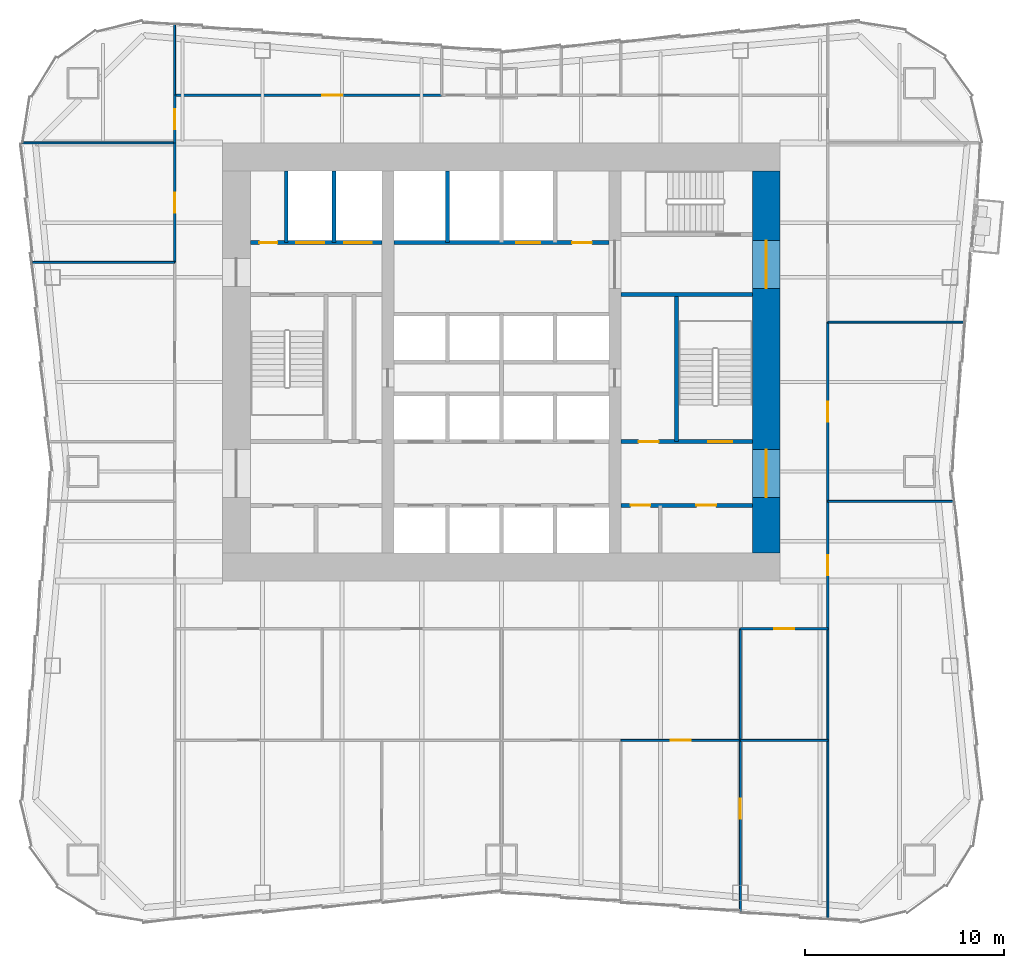
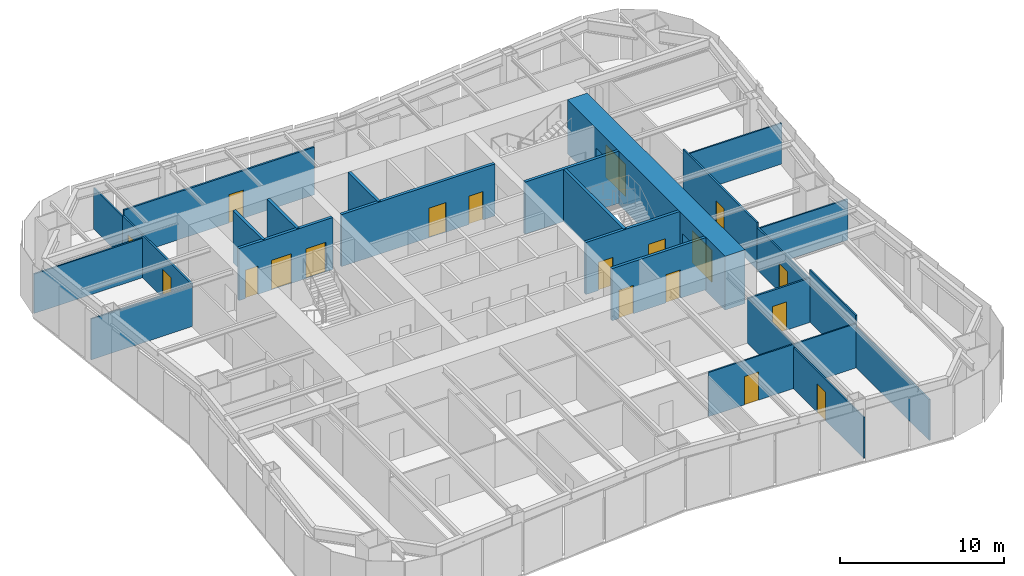
# One storey, part 5 of 8: 27 walls, 19 doors, 19 openings.
"""IFC4 building model written with IfcOpenShell, lengths in metres."""

from ifc_helpers import new_model, si_unit, direction, frame, frame_2d, origin, place, context, subcontext, project, spatial, rectangle, extrude, material, layer, layer_set, type_object, element, fill, save


model = new_model("IFC4")

# Units and contexts
model_context = context("Model", 3, precision=1e-05, world=origin(), true_north=direction((0.0, 1.0)))
body_context = subcontext(model_context, "Body", "Model", "MODEL_VIEW")
ifc_project = project(units=[si_unit("LENGTHUNIT", "METRE"), si_unit("AREAUNIT", "SQUARE_METRE"), si_unit("VOLUMEUNIT", "CUBIC_METRE"), si_unit("PLANEANGLEUNIT", "RADIAN"), si_unit("MASSUNIT", "GRAM", prefix="KILO")], contexts=[model_context])

# Site, building, storey
site_placement = place(None, origin())
site = spatial("IfcSite", under=ifc_project, at=site_placement, CompositionType="ELEMENT")
building_placement = place(site_placement, origin())
building = spatial("IfcBuilding", under=site, at=building_placement, Name="Verdant Reach Tower", CompositionType="ELEMENT")
storey_placement = place(building_placement, frame((0.0, 0.0, 18.0)))
storey = spatial("IfcBuildingStorey", under=building, at=storey_placement, Name="L03", CompositionType="ELEMENT", Elevation=18.0)

# Wall, openings, doors
ifc_material_1 = material(Name="Gypsum board on steel studs", Category="steel")
ifc_layer_1 = layer(ifc_material_1, 0.199951171875)
ifc_layer_set_1 = layer_set([ifc_layer_1], Name="CO-WALL-ROOM")
wall_type_1 = type_object("IfcWallType", Name="CO-WALL-ROOM", PredefinedType="PARTITIONING", material=ifc_layer_set_1)
wall_1_placement = place(storey_placement, frame((6.0, 20.800048828125, 0.0), z_axis=(0.0, 0.0, 1.0), x_axis=(1.0, 0.0, 0.0)))
wall_1 = element("IfcWall", 1, at=wall_1_placement, inside=storey, type_object=wall_type_1, Name="Core partition, L03", PredefinedType="PARTITIONING", context=body_context, shape_type="SweptSolid", body=[
    extrude(rectangle(XDim=6.60009765625, YDim=0.199951171875, at=frame_2d((3.300048828125, 0.0))), origin(), (0.0, 0.0, 1.0), 3.8701171875),
])
opening_1_placement = place(wall_1_placement, frame((0.489990234375, 0.0, 0.0)))
opening_1 = element("IfcOpeningElement", 2, at=opening_1_placement, cuts=wall_1, Name="Opening CD", PredefinedType="OPENING", context=body_context, shape_type="SweptSolid", body=[
    extrude(rectangle(XDim=1.0, YDim=2.10009765625, at=frame_2d((0.5, 1.050048828125))), frame((0.0, 0.10986328125, 0.0), z_axis=(0.0, -1.0, 0.0), x_axis=(1.0, 0.0, 0.0)), (0.0, 0.0, 1.0), 0.219970703125),
])
opening_2_placement = place(wall_1_placement, frame((3.7900390625, 0.0, 0.0)))
opening_2 = element("IfcOpeningElement", 3, at=opening_2_placement, cuts=wall_1, Name="Opening CD", PredefinedType="OPENING", context=body_context, shape_type="SweptSolid", body=[
    extrude(rectangle(XDim=1.0, YDim=2.10009765625, at=frame_2d((0.5, 1.050048828125))), frame((0.0, 0.10986328125, 0.0), z_axis=(0.0, -1.0, 0.0), x_axis=(1.0, 0.0, 0.0)), (0.0, 0.0, 1.0), 0.219970703125),
])
ifc_material_2 = material(Name="Timber", Category="wood")
door_type_1 = type_object("IfcDoorType", Name="CO-DOOR-ROOM", OperationType="NOTDEFINED", PredefinedType="DOOR", material=ifc_material_2)
door_1_placement = place(opening_1_placement, origin())
door_1 = element("IfcDoor", 4, at=door_1_placement, inside=storey, type_object=door_type_1, Name="Core room door, L03", OperationType="SINGLE_SWING_RIGHT", OverallHeight=2.10009765625, OverallWidth=1.0, PredefinedType="DOOR", context=body_context, shape_type="SweptSolid", body=[
    extrude(rectangle(XDim=1.0, YDim=2.10009765625, at=frame_2d((0.5, 1.050048828125))), frame((0.0, 0.02490234375, 0.0), z_axis=(0.0, -1.0, 0.0), x_axis=(1.0, 0.0, 0.0)), (0.0, 0.0, 1.0), 0.050048828125),
])
fill(opening_1, door_1)
door_2_placement = place(opening_2_placement, origin())
door_2 = element("IfcDoor", 5, at=door_2_placement, inside=storey, type_object=door_type_1, Name="Core room door, L03", OperationType="SINGLE_SWING_RIGHT", OverallHeight=2.10009765625, OverallWidth=1.0, PredefinedType="DOOR", context=body_context, shape_type="SweptSolid", body=[
    extrude(rectangle(XDim=1.0, YDim=2.10009765625, at=frame_2d((0.5, 1.050048828125))), frame((0.0, 0.02490234375, 0.0), z_axis=(0.0, -1.0, 0.0), x_axis=(1.0, 0.0, 0.0)), (0.0, 0.0, 1.0), 0.050048828125),
])
fill(opening_2, door_2)

ifc_material_3 = material(Name="Concrete C40/50", Category="concrete")
ifc_layer_2 = layer(ifc_material_3, 0.199951171875)
ifc_layer_set_2 = layer_set([ifc_layer_2], Name="CO-WALL-SHAFT")
wall_type_2 = type_object("IfcWallType", Name="CO-WALL-SHAFT", PredefinedType="PARTITIONING", material=ifc_layer_set_2)
wall_2_placement = place(storey_placement, frame((-12.60009765625, 34.0, 0.0), z_axis=(0.0, 0.0, 1.0), x_axis=(1.0, 0.0, 0.0)))
wall_2 = element("IfcWall", 6, at=wall_2_placement, inside=storey, type_object=wall_type_2, Name="Lift shaft wall, L03", PredefinedType="PARTITIONING", context=body_context, shape_type="SweptSolid", body=[
    extrude(rectangle(XDim=6.60009765625, YDim=0.199951171875, at=frame_2d((3.300048828125, 0.0))), origin(), (0.0, 0.0, 1.0), 3.8701171875),
])
opening_3_placement = place(wall_2_placement, frame((4.699951171875, 0.0, 0.0)))
opening_3 = element("IfcOpeningElement", 7, at=opening_3_placement, cuts=wall_2, Name="Opening LD-F1", PredefinedType="OPENING", context=body_context, shape_type="SweptSolid", body=[
    extrude(rectangle(XDim=1.39990234375, YDim=2.199951171875, at=frame_2d((0.699951171875, 1.10009765625))), frame((0.0, 0.10986328125, 0.0), z_axis=(0.0, -1.0, 0.0), x_axis=(1.0, 0.0, 0.0)), (0.0, 0.0, 1.0), 0.219970703125),
])
opening_4_placement = place(wall_2_placement, frame((2.300048828125, 0.0, 0.0)))
opening_4 = element("IfcOpeningElement", 8, at=opening_4_placement, cuts=wall_2, Name="Opening LD-F2", PredefinedType="OPENING", context=body_context, shape_type="SweptSolid", body=[
    extrude(rectangle(XDim=1.39990234375, YDim=2.199951171875, at=frame_2d((0.699951171875, 1.10009765625))), frame((0.0, 0.10986328125, 0.0), z_axis=(0.0, -1.0, 0.0), x_axis=(1.0, 0.0, 0.0)), (0.0, 0.0, 1.0), 0.219970703125),
])
opening_5_placement = place(wall_2_placement, frame((0.449951171875, 0.0, 0.0)))
opening_5 = element("IfcOpeningElement", 9, at=opening_5_placement, cuts=wall_2, Name="Opening RD", PredefinedType="OPENING", context=body_context, shape_type="SweptSolid", body=[
    extrude(rectangle(XDim=0.89990234375, YDim=2.10009765625, at=frame_2d((0.449951171875, 1.050048828125))), frame((0.0, 0.10986328125, 0.0), z_axis=(0.0, -1.0, 0.0), x_axis=(1.0, 0.0, 0.0)), (0.0, 0.0, 1.0), 0.219970703125),
])
ifc_material_4 = material(Name="Stainless steel", Category="steel")
door_type_2 = type_object("IfcDoorType", Name="CO-DOOR-LANDING-FF", OperationType="SLIDING_TO_LEFT", PredefinedType="DOOR", material=ifc_material_4)
door_3_placement = place(opening_3_placement, origin())
door_3 = element("IfcDoor", 10, at=door_3_placement, inside=storey, type_object=door_type_2, Name="Landing door F1, L03", OperationType="SLIDING_TO_LEFT", OverallHeight=2.199951171875, OverallWidth=1.39990234375, PredefinedType="DOOR", context=body_context, shape_type="SweptSolid", body=[
    extrude(rectangle(XDim=1.39990234375, YDim=2.199951171875, at=frame_2d((0.699951171875, 1.10009765625))), frame((0.0, 0.02490234375, 0.0), z_axis=(0.0, -1.0, 0.0), x_axis=(1.0, 0.0, 0.0)), (0.0, 0.0, 1.0), 0.050048828125),
])
fill(opening_3, door_3)
door_4_placement = place(opening_4_placement, origin())
door_4 = element("IfcDoor", 11, at=door_4_placement, inside=storey, type_object=door_type_2, Name="Landing door F2, L03", OperationType="SLIDING_TO_LEFT", OverallHeight=2.199951171875, OverallWidth=1.39990234375, PredefinedType="DOOR", context=body_context, shape_type="SweptSolid", body=[
    extrude(rectangle(XDim=1.39990234375, YDim=2.199951171875, at=frame_2d((0.699951171875, 1.10009765625))), frame((0.0, 0.02490234375, 0.0), z_axis=(0.0, -1.0, 0.0), x_axis=(1.0, 0.0, 0.0)), (0.0, 0.0, 1.0), 0.050048828125),
])
fill(opening_4, door_4)
ifc_material_5 = material(Name="Steel", Category="steel")
door_type_3 = type_object("IfcDoorType", Name="CO-DOOR-RISER", OperationType="NOTDEFINED", PredefinedType="DOOR", material=ifc_material_5)
door_5_placement = place(opening_5_placement, origin())
door_5 = element("IfcDoor", 12, at=door_5_placement, inside=storey, type_object=door_type_3, Name="Core room door, L03", OperationType="SINGLE_SWING_RIGHT", OverallHeight=2.10009765625, OverallWidth=0.89990234375, PredefinedType="DOOR", context=body_context, shape_type="SweptSolid", body=[
    extrude(rectangle(XDim=0.89990234375, YDim=2.10009765625, at=frame_2d((0.449951171875, 1.050048828125))), frame((0.0, 0.02490234375, 0.0), z_axis=(0.0, -1.0, 0.0), x_axis=(1.0, 0.0, 0.0)), (0.0, 0.0, 1.0), 0.050048828125),
])
fill(opening_5, door_5)

wall_3_placement = place(storey_placement, frame((-5.39990234375, 34.0, 0.0), z_axis=(0.0, 0.0, 1.0), x_axis=(1.0, 0.0, 0.0)))
wall_3 = element("IfcWall", 13, at=wall_3_placement, inside=storey, type_object=wall_type_2, Name="Lift shaft wall, L03", PredefinedType="PARTITIONING", context=body_context, shape_type="SweptSolid", body=[
    extrude(rectangle(XDim=10.7998046875, YDim=0.199951171875, at=frame_2d((5.39990234375, 0.0))), origin(), (0.0, 0.0, 1.0), 3.8701171875),
])
opening_6_placement = place(wall_3_placement, frame((6.14990234375, 0.0, 0.0)))
opening_6 = element("IfcOpeningElement", 14, at=opening_6_placement, cuts=wall_3, Name="Opening LD-SL1", PredefinedType="OPENING", context=body_context, shape_type="SweptSolid", body=[
    extrude(rectangle(XDim=1.199951171875, YDim=2.199951171875, at=frame_2d((0.60009765625, 1.10009765625))), frame((0.0, 0.10986328125, 0.0), z_axis=(0.0, -1.0, 0.0), x_axis=(1.0, 0.0, 0.0)), (0.0, 0.0, 1.0), 0.219970703125),
])
opening_7_placement = place(wall_3_placement, frame((8.949951171875, 0.0, 0.0)))
opening_7 = element("IfcOpeningElement", 15, at=opening_7_placement, cuts=wall_3, Name="Opening CD", PredefinedType="OPENING", context=body_context, shape_type="SweptSolid", body=[
    extrude(rectangle(XDim=1.0, YDim=2.10009765625, at=frame_2d((0.5, 1.050048828125))), frame((0.0, 0.10986328125, 0.0), z_axis=(0.0, -1.0, 0.0), x_axis=(1.0, 0.0, 0.0)), (0.0, 0.0, 1.0), 0.219970703125),
])
door_type_4 = type_object("IfcDoorType", Name="CO-DOOR-LANDING", OperationType="SLIDING_TO_LEFT", PredefinedType="DOOR", material=ifc_material_4)
door_6_placement = place(opening_6_placement, origin())
door_6 = element("IfcDoor", 16, at=door_6_placement, inside=storey, type_object=door_type_4, Name="Landing door SL1, L03", OperationType="SLIDING_TO_LEFT", OverallHeight=2.199951171875, OverallWidth=1.199951171875, PredefinedType="DOOR", context=body_context, shape_type="SweptSolid", body=[
    extrude(rectangle(XDim=1.199951171875, YDim=2.199951171875, at=frame_2d((0.60009765625, 1.10009765625))), frame((0.0, 0.02490234375, 0.0), z_axis=(0.0, -1.0, 0.0), x_axis=(1.0, 0.0, 0.0)), (0.0, 0.0, 1.0), 0.050048828125),
])
fill(opening_6, door_6)
door_7_placement = place(opening_7_placement, origin())
door_7 = element("IfcDoor", 17, at=door_7_placement, inside=storey, type_object=door_type_1, Name="Core room door, L03", OperationType="SINGLE_SWING_LEFT", OverallHeight=2.10009765625, OverallWidth=1.0, PredefinedType="DOOR", context=body_context, shape_type="SweptSolid", body=[
    extrude(rectangle(XDim=1.0, YDim=2.10009765625, at=frame_2d((0.5, 1.050048828125))), frame((0.0, 0.02490234375, 0.0), z_axis=(0.0, -1.0, 0.0), x_axis=(1.0, 0.0, 0.0)), (0.0, 0.0, 1.0), 0.050048828125),
])
fill(opening_7, door_7)

# Walls
for number, where, z_axis, x_axis, name in (
    (18, (-10.800048828125, 34.0, 0.0), (0.0, 0.0, 1.0), (0.0, 1.0, 0.0), "Lift shaft wall, L03"),
    (19, (-8.39990234375, 34.0, 0.0), (0.0, 0.0, 1.0), (0.0, 1.0, 0.0), "Lift shaft wall, L03"),
    (20, (-2.699951171875, 34.0, 0.0), (0.0, 0.0, 1.0), (0.0, 1.0, 0.0), "Lift shaft wall, L03"),
):
    element("IfcWall", number, at=place(storey_placement, frame(where, z_axis=z_axis, x_axis=x_axis)), inside=storey, type_object=wall_type_2, Name=name, PredefinedType="PARTITIONING", context=body_context, shape_type="SweptSolid", body=[
        extrude(rectangle(XDim=3.60009765625, YDim=0.199951171875, at=frame_2d((1.800048828125, 0.0))), origin(), (0.0, 0.0, 1.0), 3.8701171875),
    ])

# Wall, openings, doors
ifc_layer_3 = layer(ifc_material_3, 0.199951171875)
ifc_layer_set_3 = layer_set([ifc_layer_3], Name="CO-WALL-STAIR")
wall_type_3 = type_object("IfcWallType", Name="CO-WALL-STAIR", PredefinedType="PARTITIONING", material=ifc_layer_set_3)
wall_4_placement = place(storey_placement, frame((6.0, 24.0, 0.0), z_axis=(0.0, 0.0, 1.0), x_axis=(1.0, 0.0, 0.0)))
wall_4 = element("IfcWall", 21, at=wall_4_placement, inside=storey, type_object=wall_type_3, Name="Stair enclosure wall, L03", PredefinedType="PARTITIONING", context=body_context, shape_type="SweptSolid", body=[
    extrude(rectangle(XDim=6.60009765625, YDim=0.199951171875, at=frame_2d((3.300048828125, 0.0))), origin(), (0.0, 0.0, 1.0), 3.8701171875),
])
opening_8_placement = place(wall_4_placement, frame((0.89990234375, 0.0, 0.0)))
opening_8 = element("IfcOpeningElement", 22, at=opening_8_placement, cuts=wall_4, Name="Opening CD", PredefinedType="OPENING", context=body_context, shape_type="SweptSolid", body=[
    extrude(rectangle(XDim=1.0, YDim=2.10009765625, at=frame_2d((0.5, 1.050048828125))), frame((0.0, 0.10986328125, 0.0), z_axis=(0.0, -1.0, 0.0), x_axis=(1.0, 0.0, 0.0)), (0.0, 0.0, 1.0), 0.219970703125),
])
opening_9_placement = place(wall_4_placement, frame((4.39990234375, 0.0, 0.0)))
opening_9 = element("IfcOpeningElement", 23, at=opening_9_placement, cuts=wall_4, Name="Opening SD", PredefinedType="OPENING", context=body_context, shape_type="SweptSolid", body=[
    extrude(rectangle(XDim=1.199951171875, YDim=2.199951171875, at=frame_2d((0.60009765625, 1.10009765625))), frame((0.0, 0.10986328125, 0.0), z_axis=(0.0, -1.0, 0.0), x_axis=(1.0, 0.0, 0.0)), (0.0, 0.0, 1.0), 0.219970703125),
])
door_8_placement = place(opening_8_placement, origin())
door_8 = element("IfcDoor", 24, at=door_8_placement, inside=storey, type_object=door_type_1, Name="Core room door, L03", OperationType="SINGLE_SWING_RIGHT", OverallHeight=2.10009765625, OverallWidth=1.0, PredefinedType="DOOR", context=body_context, shape_type="SweptSolid", body=[
    extrude(rectangle(XDim=1.0, YDim=2.10009765625, at=frame_2d((0.5, 1.050048828125))), frame((0.0, 0.02490234375, 0.0), z_axis=(0.0, -1.0, 0.0), x_axis=(1.0, 0.0, 0.0)), (0.0, 0.0, 1.0), 0.050048828125),
])
fill(opening_8, door_8)
door_type_5 = type_object("IfcDoorType", Name="CO-DOOR-STAIR", OperationType="NOTDEFINED", PredefinedType="DOOR", material=ifc_material_5)
door_9_placement = place(opening_9_placement, origin())
door_9 = element("IfcDoor", 25, at=door_9_placement, inside=storey, type_object=door_type_5, Name="Stair door, L03", OperationType="SINGLE_SWING_LEFT", OverallHeight=2.199951171875, OverallWidth=1.199951171875, PredefinedType="DOOR", context=body_context, shape_type="SweptSolid", body=[
    extrude(rectangle(XDim=1.199951171875, YDim=2.199951171875, at=frame_2d((0.60009765625, 1.10009765625))), frame((0.0, 0.02490234375, 0.0), z_axis=(0.0, -1.0, 0.0), x_axis=(1.0, 0.0, 0.0)), (0.0, 0.0, 1.0), 0.050048828125),
])
fill(opening_9, door_9)

# Walls
wall_5_placement = place(storey_placement, frame((6.0, 31.39990234375, 0.0), z_axis=(0.0, 0.0, 1.0), x_axis=(1.0, 0.0, 0.0)))
element("IfcWall", 26, at=wall_5_placement, inside=storey, type_object=wall_type_3, Name="Stair enclosure wall, L03", PredefinedType="PARTITIONING", context=body_context, shape_type="SweptSolid", body=[
    extrude(rectangle(XDim=6.60009765625, YDim=0.199951171875, at=frame_2d((3.300048828125, 0.0))), origin(), (0.0, 0.0, 1.0), 3.8701171875),
])
wall_6_placement = place(storey_placement, frame((8.800048828125, 24.0, 0.0), z_axis=(0.0, 0.0, 1.0), x_axis=(0.0, 1.0, 0.0)))
element("IfcWall", 27, at=wall_6_placement, inside=storey, type_object=wall_type_3, Name="Stair enclosure wall, L03", PredefinedType="PARTITIONING", context=body_context, shape_type="SweptSolid", body=[
    extrude(rectangle(XDim=7.39990234375, YDim=0.199951171875, at=frame_2d((3.699951171875, 0.0))), origin(), (0.0, 0.0, 1.0), 3.8701171875),
])
ifc_layer_4 = layer(ifc_material_1, 0.10009765625)
ifc_layer_set_4 = layer_set([ifc_layer_4], Name="FL-W1 Partition 100")
wall_type_4 = type_object("IfcWallType", Name="FL-W1 Partition 100", PredefinedType="PARTITIONING", material=ifc_layer_set_4)
wall_7_placement = place(storey_placement, frame((12.0, 9.0, 0.0), z_axis=(0.0, 0.0, 1.0), x_axis=(0.0, 1.0, 0.0)))
element("IfcWall", 28, at=wall_7_placement, inside=storey, type_object=wall_type_4, Name="Partition 03.25", PredefinedType="PARTITIONING", context=body_context, shape_type="SweptSolid", body=[
    extrude(rectangle(XDim=5.60009765625, YDim=0.10009765625, at=frame_2d((2.800048828125, 0.0))), origin(), (0.0, 0.0, 1.0), 3.2900390625),
])

# Wall, opening, door
wall_8_placement = place(storey_placement, frame((12.0, 9.0, 0.0), z_axis=(0.0, 0.0, 1.0), x_axis=(-1.0, 0.0, 0.0)))
wall_8 = element("IfcWall", 29, at=wall_8_placement, inside=storey, type_object=wall_type_4, Name="Partition 03.27", PredefinedType="PARTITIONING", context=body_context, shape_type="SweptSolid", body=[
    extrude(rectangle(XDim=6.0, YDim=0.10009765625, at=frame_2d((3.0, 0.0))), origin(), (0.0, 0.0, 1.0), 3.2900390625),
])
opening_10_placement = place(wall_8_placement, frame((2.5, 0.0, 0.0)))
opening_10 = element("IfcOpeningElement", 30, at=opening_10_placement, cuts=wall_8, Name="Opening D3", PredefinedType="OPENING", context=body_context, shape_type="SweptSolid", body=[
    extrude(rectangle(XDim=1.0, YDim=2.10009765625, at=frame_2d((0.5, 1.050048828125))), frame((0.0, 0.06005859375, 0.0), z_axis=(0.0, -1.0, 0.0), x_axis=(1.0, 0.0, 0.0)), (0.0, 0.0, 1.0), 0.1201171875),
])
ifc_material_6 = material(Name="Painted timber door leaf", Category="wood")
door_type_6 = type_object("IfcDoorType", Name="FL-D3 Door 1000x2100", OperationType="NOTDEFINED", PredefinedType="DOOR", material=ifc_material_6)
door_10_placement = place(opening_10_placement, origin())
door_10 = element("IfcDoor", 31, at=door_10_placement, inside=storey, type_object=door_type_6, Name="Door 03-021", OperationType="SINGLE_SWING_LEFT", OverallHeight=2.10009765625, OverallWidth=1.0, PredefinedType="DOOR", context=body_context, shape_type="SweptSolid", body=[
    extrude(rectangle(XDim=1.0, YDim=2.10009765625, at=frame_2d((0.5, 1.050048828125))), frame((0.0, 0.02490234375, 0.0), z_axis=(0.0, -1.0, 0.0), x_axis=(1.0, 0.0, 0.0)), (0.0, 0.0, 1.0), 0.050048828125),
])
fill(opening_10, door_10)

# Walls
wall_9_placement = place(storey_placement, frame((12.0, 9.0, 0.0), z_axis=(0.0, 0.0, 1.0), x_axis=(1.0, 0.0, 0.0)))
element("IfcWall", 32, at=wall_9_placement, inside=storey, type_object=wall_type_4, Name="Partition 03.28", PredefinedType="PARTITIONING", context=body_context, shape_type="SweptSolid", body=[
    extrude(rectangle(XDim=4.39990234375, YDim=0.10009765625, at=frame_2d((2.199951171875, 0.0))), origin(), (0.0, 0.0, 1.0), 3.2900390625),
])
wall_10_placement = place(storey_placement, frame((16.39990234375, 8.99609375, 0.0), z_axis=(0.0, 0.0, 1.0), x_axis=(0.0, 1.0, 0.0)))
element("IfcWall", 33, at=wall_10_placement, inside=storey, type_object=wall_type_4, Name="Partition 03.29", PredefinedType="PARTITIONING", context=body_context, shape_type="SweptSolid", body=[
    extrude(rectangle(XDim=5.60791015625, YDim=0.10009765625, at=frame_2d((2.803955078125, 0.0))), origin(), (0.0, 0.0, 1.0), 3.8701171875),
])

# Wall, opening, door
wall_11_placement = place(storey_placement, frame((12.0, 9.0, 0.0), z_axis=(0.0, 0.0, 1.0), x_axis=(0.0, -1.0, 0.0)))
wall_11 = element("IfcWall", 34, at=wall_11_placement, inside=storey, type_object=wall_type_4, Name="Partition 03.34", PredefinedType="PARTITIONING", context=body_context, shape_type="SweptSolid", body=[
    extrude(rectangle(XDim=8.580078125, YDim=0.10009765625, at=frame_2d((4.2900390625, 0.0))), origin(), (0.0, 0.0, 1.0), 3.0400390625),
])
opening_11_placement = place(wall_11_placement, frame((2.9248046875, 0.0, 0.0)))
opening_11 = element("IfcOpeningElement", 35, at=opening_11_placement, cuts=wall_11, Name="Opening D3", PredefinedType="OPENING", context=body_context, shape_type="SweptSolid", body=[
    extrude(rectangle(XDim=1.0, YDim=2.10009765625, at=frame_2d((0.5, 1.050048828125))), frame((0.0, 0.06005859375, 0.0), z_axis=(0.0, -1.0, 0.0), x_axis=(1.0, 0.0, 0.0)), (0.0, 0.0, 1.0), 0.1201171875),
])
door_11_placement = place(opening_11_placement, origin())
door_11 = element("IfcDoor", 36, at=door_11_placement, inside=storey, type_object=door_type_6, Name="Door 03-023", OperationType="SINGLE_SWING_LEFT", OverallHeight=2.10009765625, OverallWidth=1.0, PredefinedType="DOOR", context=body_context, shape_type="SweptSolid", body=[
    extrude(rectangle(XDim=1.0, YDim=2.10009765625, at=frame_2d((0.5, 1.050048828125))), frame((0.0, 0.02490234375, 0.0), z_axis=(0.0, -1.0, 0.0), x_axis=(1.0, 0.0, 0.0)), (0.0, 0.0, 1.0), 0.050048828125),
])
fill(opening_11, door_11)

# Walls
wall_12_placement = place(storey_placement, frame((16.39990234375, 0.05322265625, 0.0), z_axis=(0.0, 0.0, 1.0), x_axis=(0.0, 1.0, 0.0)))
element("IfcWall", 37, at=wall_12_placement, inside=storey, type_object=wall_type_4, Name="Partition 03.35", PredefinedType="PARTITIONING", context=body_context, shape_type="SweptSolid", body=[
    extrude(rectangle(XDim=8.95068359375, YDim=0.10009765625, at=frame_2d((4.475341796875, 0.0))), origin(), (0.0, 0.0, 1.0), 3.0400390625),
])
wall_13_placement = place(storey_placement, frame((-16.39990234375, 44.94677734375, 0.0), z_axis=(0.0, 0.0, 1.0), x_axis=(0.0, -1.0, 0.0)))
element("IfcWall", 38, at=wall_13_placement, inside=storey, type_object=wall_type_4, Name="Partition 03.37", PredefinedType="PARTITIONING", context=body_context, shape_type="SweptSolid", body=[
    extrude(rectangle(XDim=3.55078125, YDim=0.10009765625, at=frame_2d((1.775390625, 0.0))), origin(), (0.0, 0.0, 1.0), 3.0400390625),
])
wall_14_placement = place(storey_placement, frame((-16.39990234375, 33.0, 0.0), z_axis=(0.0, 0.0, 1.0), x_axis=(-1.0, 0.0, 0.0)))
element("IfcWall", 39, at=wall_14_placement, inside=storey, type_object=wall_type_4, Name="Partition 03.44", PredefinedType="PARTITIONING", context=body_context, shape_type="SweptSolid", body=[
    extrude(rectangle(XDim=7.134521484375, YDim=0.10009765625, at=frame_2d((3.5673828125, 0.0))), origin(), (0.0, 0.0, 1.0), 3.0400390625),
])
wall_15_placement = place(storey_placement, frame((-16.39990234375, 39.0, 0.0), z_axis=(0.0, 0.0, 1.0), x_axis=(-1.0, 0.0, 0.0)))
element("IfcWall", 40, at=wall_15_placement, inside=storey, type_object=wall_type_4, Name="Partition 03.45", PredefinedType="PARTITIONING", context=body_context, shape_type="SweptSolid", body=[
    extrude(rectangle(XDim=7.68017578125, YDim=0.10009765625, at=frame_2d((3.840087890625, 0.0))), origin(), (0.0, 0.0, 1.0), 2.929931640625),
])
wall_16_placement = place(storey_placement, frame((22.71630859375, 21.0, 0.0), z_axis=(0.0, 0.0, 1.0), x_axis=(-1.0, 0.0, 0.0)))
element("IfcWall", 41, at=wall_16_placement, inside=storey, type_object=wall_type_4, Name="Partition 03.46", PredefinedType="PARTITIONING", context=body_context, shape_type="SweptSolid", body=[
    extrude(rectangle(XDim=6.31640625, YDim=0.10009765625, at=frame_2d((3.158203125, 0.0))), origin(), (0.0, 0.0, 1.0), 3.0400390625),
])
wall_17_placement = place(storey_placement, frame((23.26171875, 30.0, 0.0), z_axis=(0.0, 0.0, 1.0), x_axis=(-1.0, 0.0, 0.0)))
element("IfcWall", 42, at=wall_17_placement, inside=storey, type_object=wall_type_4, Name="Partition 03.47", PredefinedType="PARTITIONING", context=body_context, shape_type="SweptSolid", body=[
    extrude(rectangle(XDim=6.86181640625, YDim=0.10009765625, at=frame_2d((3.430908203125, 0.0))), origin(), (0.0, 0.0, 1.0), 3.0400390625),
])

# Wall, opening, door
ifc_material_7 = material(Name="Gypsum board on steel studs, fire rated", Category="steel")
ifc_layer_5 = layer(ifc_material_7, 0.125)
ifc_layer_set_5 = layer_set([ifc_layer_5], Name="FL-W2 Corridor wall 125")
wall_type_5 = type_object("IfcWallType", Name="FL-W2 Corridor wall 125", PredefinedType="PARTITIONING", material=ifc_layer_set_5)
wall_18_placement = place(storey_placement, frame((16.39990234375, 14.60009765625, 0.0), z_axis=(0.0, 0.0, 1.0), x_axis=(-1.0, 0.0, 0.0)))
wall_18 = element("IfcWall", 43, at=wall_18_placement, inside=storey, type_object=wall_type_5, Name="Partition 03.04", PredefinedType="PARTITIONING", context=body_context, shape_type="SweptSolid", body=[
    extrude(rectangle(XDim=4.39990234375, YDim=0.125, at=frame_2d((2.199951171875, 0.0))), origin(), (0.0, 0.0, 1.0), 3.2900390625),
])
opening_12_placement = place(wall_18_placement, frame((1.699951171875, 0.0, 0.0)))
opening_12 = element("IfcOpeningElement", 44, at=opening_12_placement, cuts=wall_18, Name="Opening D2", PredefinedType="OPENING", context=body_context, shape_type="SweptSolid", body=[
    extrude(rectangle(XDim=1.0, YDim=2.10009765625, at=frame_2d((0.5, 1.050048828125))), frame((0.0, 0.072509765625, 0.0), z_axis=(0.0, -1.0, 0.0), x_axis=(1.0, 0.0, 0.0)), (0.0, 0.0, 1.0), 0.14501953125),
])
ifc_material_8 = material(Name="Timber door leaf, fire rated", Category="wood")
door_type_7 = type_object("IfcDoorType", Name="FL-D2 Entrance door 1000x2100 FD30", OperationType="NOTDEFINED", PredefinedType="DOOR", material=ifc_material_8)
door_12_placement = place(opening_12_placement, origin())
door_12 = element("IfcDoor", 45, at=door_12_placement, inside=storey, type_object=door_type_7, Name="Door 03-004", OperationType="SINGLE_SWING_RIGHT", OverallHeight=2.10009765625, OverallWidth=1.0, PredefinedType="DOOR", context=body_context, shape_type="SweptSolid", body=[
    extrude(rectangle(XDim=1.0, YDim=2.10009765625, at=frame_2d((0.5, 1.050048828125))), frame((0.0, 0.02490234375, 0.0), z_axis=(0.0, -1.0, 0.0), x_axis=(1.0, 0.0, 0.0)), (0.0, 0.0, 1.0), 0.050048828125),
])
fill(opening_12, door_12)

wall_19_placement = place(storey_placement, frame((-16.39990234375, 41.39990234375, 0.0), z_axis=(0.0, 0.0, 1.0), x_axis=(1.0, 0.0, 0.0)))
wall_19 = element("IfcWall", 46, at=wall_19_placement, inside=storey, type_object=wall_type_5, Name="Partition 03.05", PredefinedType="PARTITIONING", context=body_context, shape_type="SweptSolid", body=[
    extrude(rectangle(XDim=13.39990234375, YDim=0.125, at=frame_2d((6.699951171875, 0.0))), origin(), (0.0, 0.0, 1.0), 3.5400390625),
])
opening_13_placement = place(wall_19_placement, frame((7.39990234375, 0.0, 0.0)))
opening_13 = element("IfcOpeningElement", 47, at=opening_13_placement, cuts=wall_19, Name="Opening D2", PredefinedType="OPENING", context=body_context, shape_type="SweptSolid", body=[
    extrude(rectangle(XDim=1.0, YDim=2.10009765625, at=frame_2d((0.5, 1.050048828125))), frame((0.0, 0.072509765625, 0.0), z_axis=(0.0, -1.0, 0.0), x_axis=(1.0, 0.0, 0.0)), (0.0, 0.0, 1.0), 0.14501953125),
])
door_13_placement = place(opening_13_placement, origin())
door_13 = element("IfcDoor", 48, at=door_13_placement, inside=storey, type_object=door_type_7, Name="Door 03-005", OperationType="SINGLE_SWING_RIGHT", OverallHeight=2.10009765625, OverallWidth=1.0, PredefinedType="DOOR", context=body_context, shape_type="SweptSolid", body=[
    extrude(rectangle(XDim=1.0, YDim=2.10009765625, at=frame_2d((0.5, 1.050048828125))), frame((0.0, 0.02490234375, 0.0), z_axis=(0.0, -1.0, 0.0), x_axis=(1.0, 0.0, 0.0)), (0.0, 0.0, 1.0), 0.050048828125),
])
fill(opening_13, door_13)

wall_20_placement = place(storey_placement, frame((-16.39990234375, 33.0, 0.0), z_axis=(0.0, 0.0, 1.0), x_axis=(0.0, 1.0, 0.0)))
wall_20 = element("IfcWall", 49, at=wall_20_placement, inside=storey, type_object=wall_type_5, Name="Partition 03.13", PredefinedType="PARTITIONING", context=body_context, shape_type="SweptSolid", body=[
    extrude(rectangle(XDim=6.0, YDim=0.125, at=frame_2d((3.0, 0.0))), origin(), (0.0, 0.0, 1.0), 3.139892578125),
])
opening_14_placement = place(wall_20_placement, frame((2.5, 0.0, 0.0)))
opening_14 = element("IfcOpeningElement", 50, at=opening_14_placement, cuts=wall_20, Name="Opening D2", PredefinedType="OPENING", context=body_context, shape_type="SweptSolid", body=[
    extrude(rectangle(XDim=1.0, YDim=2.10009765625, at=frame_2d((0.5, 1.050048828125))), frame((0.0, 0.072509765625, 0.0), z_axis=(0.0, -1.0, 0.0), x_axis=(1.0, 0.0, 0.0)), (0.0, 0.0, 1.0), 0.14501953125),
])
door_14_placement = place(opening_14_placement, origin())
door_14 = element("IfcDoor", 51, at=door_14_placement, inside=storey, type_object=door_type_7, Name="Door 03-013", OperationType="SINGLE_SWING_LEFT", OverallHeight=2.10009765625, OverallWidth=1.0, PredefinedType="DOOR", context=body_context, shape_type="SweptSolid", body=[
    extrude(rectangle(XDim=1.0, YDim=2.10009765625, at=frame_2d((0.5, 1.050048828125))), frame((0.0, 0.02490234375, 0.0), z_axis=(0.0, -1.0, 0.0), x_axis=(1.0, 0.0, 0.0)), (0.0, 0.0, 1.0), 0.050048828125),
])
fill(opening_14, door_14)

wall_21_placement = place(storey_placement, frame((-16.39990234375, 39.0, 0.0), z_axis=(0.0, 0.0, 1.0), x_axis=(0.0, 1.0, 0.0)))
wall_21 = element("IfcWall", 52, at=wall_21_placement, inside=storey, type_object=wall_type_5, Name="Partition 03.14", PredefinedType="PARTITIONING", context=body_context, shape_type="SweptSolid", body=[
    extrude(rectangle(XDim=2.404052734375, YDim=0.125, at=frame_2d((1.2021484375, 0.0))), origin(), (0.0, 0.0, 1.0), 3.139892578125),
])
opening_15_placement = place(wall_21_placement, frame((0.701904296875, 0.0, 0.0)))
opening_15 = element("IfcOpeningElement", 53, at=opening_15_placement, cuts=wall_21, Name="Opening D2", PredefinedType="OPENING", context=body_context, shape_type="SweptSolid", body=[
    extrude(rectangle(XDim=1.0, YDim=2.10009765625, at=frame_2d((0.5, 1.050048828125))), frame((0.0, 0.072509765625, 0.0), z_axis=(0.0, -1.0, 0.0), x_axis=(1.0, 0.0, 0.0)), (0.0, 0.0, 1.0), 0.14501953125),
])
door_15_placement = place(opening_15_placement, origin())
door_15 = element("IfcDoor", 54, at=door_15_placement, inside=storey, type_object=door_type_7, Name="Door 03-014", OperationType="SINGLE_SWING_RIGHT", OverallHeight=2.10009765625, OverallWidth=1.0, PredefinedType="DOOR", context=body_context, shape_type="SweptSolid", body=[
    extrude(rectangle(XDim=1.0, YDim=2.10009765625, at=frame_2d((0.5, 1.050048828125))), frame((0.0, 0.02490234375, 0.0), z_axis=(0.0, -1.0, 0.0), x_axis=(1.0, 0.0, 0.0)), (0.0, 0.0, 1.0), 0.050048828125),
])
fill(opening_15, door_15)

wall_22_placement = place(storey_placement, frame((16.39990234375, 21.0, 0.0), z_axis=(0.0, 0.0, 1.0), x_axis=(0.0, -1.0, 0.0)))
wall_22 = element("IfcWall", 55, at=wall_22_placement, inside=storey, type_object=wall_type_5, Name="Partition 03.15", PredefinedType="PARTITIONING", context=body_context, shape_type="SweptSolid", body=[
    extrude(rectangle(XDim=6.404052734375, YDim=0.125, at=frame_2d((3.2021484375, 0.0))), origin(), (0.0, 0.0, 1.0), 3.139892578125),
])
opening_16_placement = place(wall_22_placement, frame((2.701904296875, 0.0, 0.0)))
opening_16 = element("IfcOpeningElement", 56, at=opening_16_placement, cuts=wall_22, Name="Opening D2", PredefinedType="OPENING", context=body_context, shape_type="SweptSolid", body=[
    extrude(rectangle(XDim=1.0, YDim=2.10009765625, at=frame_2d((0.5, 1.050048828125))), frame((0.0, 0.072509765625, 0.0), z_axis=(0.0, -1.0, 0.0), x_axis=(1.0, 0.0, 0.0)), (0.0, 0.0, 1.0), 0.14501953125),
])
door_16_placement = place(opening_16_placement, origin())
door_16 = element("IfcDoor", 57, at=door_16_placement, inside=storey, type_object=door_type_7, Name="Door 03-015", OperationType="SINGLE_SWING_LEFT", OverallHeight=2.10009765625, OverallWidth=1.0, PredefinedType="DOOR", context=body_context, shape_type="SweptSolid", body=[
    extrude(rectangle(XDim=1.0, YDim=2.10009765625, at=frame_2d((0.5, 1.050048828125))), frame((0.0, 0.02490234375, 0.0), z_axis=(0.0, -1.0, 0.0), x_axis=(1.0, 0.0, 0.0)), (0.0, 0.0, 1.0), 0.050048828125),
])
fill(opening_16, door_16)

wall_23_placement = place(storey_placement, frame((16.39990234375, 30.0, 0.0), z_axis=(0.0, 0.0, 1.0), x_axis=(0.0, -1.0, 0.0)))
wall_23 = element("IfcWall", 58, at=wall_23_placement, inside=storey, type_object=wall_type_5, Name="Partition 03.16", PredefinedType="PARTITIONING", context=body_context, shape_type="SweptSolid", body=[
    extrude(rectangle(XDim=9.0, YDim=0.125, at=frame_2d((4.5, 0.0))), origin(), (0.0, 0.0, 1.0), 3.47998046875),
])
opening_17_placement = place(wall_23_placement, frame((4.0, 0.0, 0.0)))
opening_17 = element("IfcOpeningElement", 59, at=opening_17_placement, cuts=wall_23, Name="Opening D2", PredefinedType="OPENING", context=body_context, shape_type="SweptSolid", body=[
    extrude(rectangle(XDim=1.0, YDim=2.10009765625, at=frame_2d((0.5, 1.050048828125))), frame((0.0, 0.072509765625, 0.0), z_axis=(0.0, -1.0, 0.0), x_axis=(1.0, 0.0, 0.0)), (0.0, 0.0, 1.0), 0.14501953125),
])
door_17_placement = place(opening_17_placement, origin())
door_17 = element("IfcDoor", 60, at=door_17_placement, inside=storey, type_object=door_type_7, Name="Door 03-016", OperationType="SINGLE_SWING_RIGHT", OverallHeight=2.10009765625, OverallWidth=1.0, PredefinedType="DOOR", context=body_context, shape_type="SweptSolid", body=[
    extrude(rectangle(XDim=1.0, YDim=2.10009765625, at=frame_2d((0.5, 1.050048828125))), frame((0.0, 0.02490234375, 0.0), z_axis=(0.0, -1.0, 0.0), x_axis=(1.0, 0.0, 0.0)), (0.0, 0.0, 1.0), 0.050048828125),
])
fill(opening_17, door_17)

# Wall, openings, doors
ifc_material_9 = material(Name="Concrete C70/85", Category="concrete")
ifc_layer_6 = layer(ifc_material_9, 1.39990234375)
ifc_layer_set_6 = layer_set([ifc_layer_6], Name="ST-CORE-WALL-1400")
wall_type_6 = type_object("IfcWallType", Name="ST-CORE-WALL-1400", PredefinedType="SHEAR", material=ifc_layer_set_6)
wall_24_placement = place(storey_placement, frame((13.300048828125, 18.39990234375, -0.1298828125), z_axis=(0.0, 0.0, 1.0), x_axis=(0.0, 1.0, 0.0)))
wall_24 = element("IfcWall", 61, at=wall_24_placement, inside=storey, type_object=wall_type_6, Name="Core wall E, L03", PredefinedType="SHEAR", context=body_context, shape_type="SweptSolid", body=[
    extrude(rectangle(XDim=19.2001953125, YDim=1.39990234375, at=frame_2d((9.60009765625, 0.0))), origin(), (0.0, 0.0, 1.0), 4.0),
])
opening_18_placement = place(wall_24_placement, frame((2.800048828125, 0.0, 0.1298828125)))
opening_18 = element("IfcOpeningElement", 62, at=opening_18_placement, cuts=wall_24, Name="Opening LB", PredefinedType="OPENING", context=body_context, shape_type="SweptSolid", body=[
    extrude(rectangle(XDim=2.39990234375, YDim=2.39990234375, at=frame_2d((1.199951171875, 1.199951171875))), frame((0.0, 0.7099609375, 0.0), z_axis=(0.0, -1.0, 0.0), x_axis=(1.0, 0.0, 0.0)), (0.0, 0.0, 1.0), 1.419921875),
])
opening_19_placement = place(wall_24_placement, frame((13.300048828125, 0.0, 0.1298828125)))
opening_19 = element("IfcOpeningElement", 63, at=opening_19_placement, cuts=wall_24, Name="Opening LB", PredefinedType="OPENING", context=body_context, shape_type="SweptSolid", body=[
    extrude(rectangle(XDim=2.39990234375, YDim=2.39990234375, at=frame_2d((1.199951171875, 1.199951171875))), frame((0.0, 0.7099609375, 0.0), z_axis=(0.0, -1.0, 0.0), x_axis=(1.0, 0.0, 0.0)), (0.0, 0.0, 1.0), 1.419921875),
])
ifc_material_10 = material(Name="Glass and steel", Category="steel")
door_type_8 = type_object("IfcDoorType", Name="CO-DOOR-LOBBY", OperationType="DOUBLE_DOOR_SINGLE_SWING", PredefinedType="DOOR", material=ifc_material_10)
door_18_placement = place(opening_18_placement, origin())
door_18 = element("IfcDoor", 64, at=door_18_placement, inside=storey, type_object=door_type_8, Name="Core entrance door, L03", OperationType="DOUBLE_DOOR_SINGLE_SWING", OverallHeight=2.39990234375, OverallWidth=2.39990234375, PredefinedType="DOOR", context=body_context, shape_type="SweptSolid", body=[
    extrude(rectangle(XDim=2.39990234375, YDim=2.39990234375, at=frame_2d((1.199951171875, 1.199951171875))), frame((0.0, 0.02490234375, 0.0), z_axis=(0.0, -1.0, 0.0), x_axis=(1.0, 0.0, 0.0)), (0.0, 0.0, 1.0), 0.050048828125),
])
fill(opening_18, door_18)
door_19_placement = place(opening_19_placement, origin())
door_19 = element("IfcDoor", 65, at=door_19_placement, inside=storey, type_object=door_type_8, Name="Core entrance door, L03", OperationType="DOUBLE_DOOR_SINGLE_SWING", OverallHeight=2.39990234375, OverallWidth=2.39990234375, PredefinedType="DOOR", context=body_context, shape_type="SweptSolid", body=[
    extrude(rectangle(XDim=2.39990234375, YDim=2.39990234375, at=frame_2d((1.199951171875, 1.199951171875))), frame((0.0, 0.02490234375, 0.0), z_axis=(0.0, -1.0, 0.0), x_axis=(1.0, 0.0, 0.0)), (0.0, 0.0, 1.0), 0.050048828125),
])
fill(opening_19, door_19)

save(model, "model.ifc")
